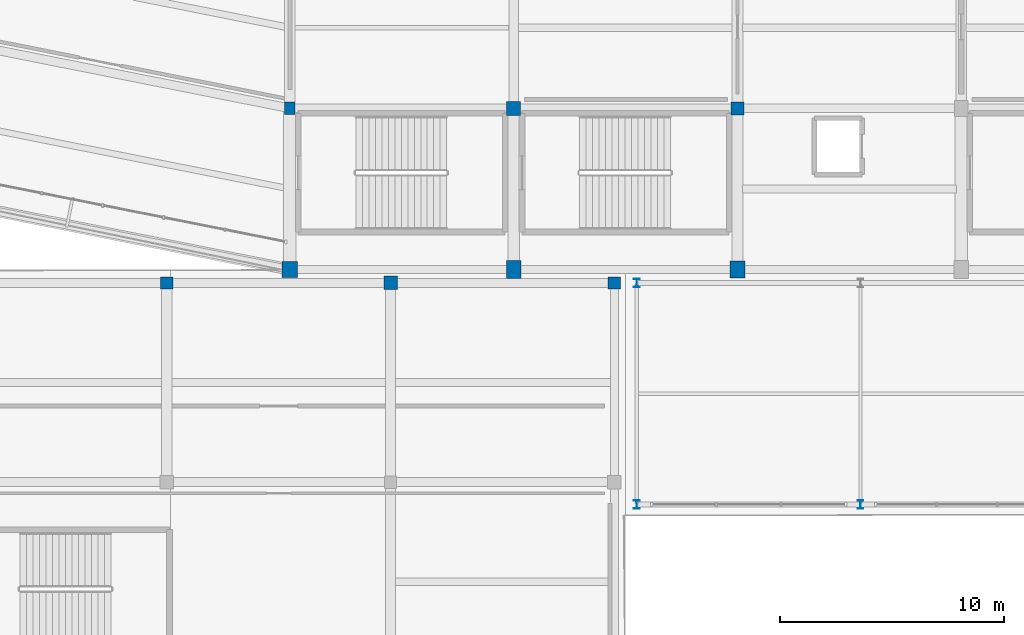
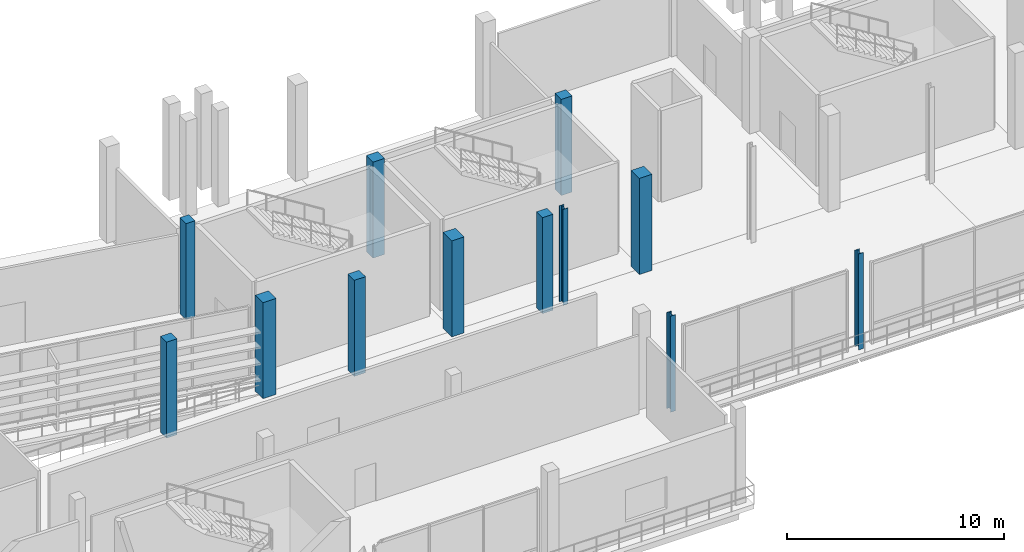
# One storey, part 2 of 111: 12 columns.
"""IFC4 building model written with IfcOpenShell, lengths in metres."""

from ifc_helpers import new_model, si_unit, direction, frame, origin, origin_2d, place, context, subcontext, project, spatial, rectangle, i_section, extrude, material, material_profile, profile_set, type_object, element, save


model = new_model("IFC4")

# Units and contexts
model_context = context("Model", 3, precision=1e-05, world=origin(), true_north=direction((0.0, 1.0)))
body_context = subcontext(model_context, "Body", "Model", "MODEL_VIEW")
ifc_project = project(units=[si_unit("LENGTHUNIT", "METRE"), si_unit("AREAUNIT", "SQUARE_METRE"), si_unit("VOLUMEUNIT", "CUBIC_METRE"), si_unit("PLANEANGLEUNIT", "RADIAN"), si_unit("MASSUNIT", "GRAM", prefix="KILO")], contexts=[model_context])

# Site, building, storey
site_placement = place(None, origin())
site = spatial("IfcSite", under=ifc_project, at=site_placement, CompositionType="ELEMENT")
building_placement = place(site_placement, origin())
building = spatial("IfcBuilding", under=site, at=building_placement, Name="Candeia Ridge Stadium", CompositionType="ELEMENT")
storey_placement = place(building_placement, frame((0.0, 0.0, 16.199951171875)))
storey = spatial("IfcBuildingStorey", under=building, at=storey_placement, Name="L03", CompositionType="ELEMENT", Elevation=16.199951171875)

# Columns
ifc_material_1 = material(Name="Steel ASTM A572 Grade 50", Category="steel")
ifc_material_profile_1 = material_profile(ifc_material_1, i_section(OverallWidth=0.257080078125, OverallDepth=0.363037109375, WebThickness=0.012939453125, FlangeThickness=0.021728515625, FilletRadius=0.014892578125, at=origin_2d()), Name="W360x122", Category="steel")
ifc_profile_set_1 = profile_set([ifc_material_profile_1], Name="Steel ASTM A572 Grade 50")
column_type_1 = type_object("IfcColumnType", Name="Gate Steel Column W360x122", PredefinedType="COLUMN", material=ifc_profile_set_1)
for number, where, z_axis, x_axis, name in (
    (1, (86.5, 8.5, 0.0), (0.0, 0.0, 1.0), (1.0, 0.0, 0.0), "Structural column SG-00-00 L03"),
    (2, (86.5, 18.39990234375, 0.0), (0.0, 0.0, 1.0), (1.0, 0.0, 0.0), "Structural column SG-00-01 L03"),
    (3, (96.5, 8.5, 0.0), (0.0, 0.0, 1.0), (1.0, 0.0, 0.0), "Structural column SG-01-00 L03"),
):
    element("IfcColumn", number, at=place(storey_placement, frame(where, z_axis=z_axis, x_axis=x_axis)), inside=storey, type_object=column_type_1, Name=name, PredefinedType="COLUMN", context=body_context, shape_type="SweptSolid", body=[
        extrude(i_section(OverallWidth=0.257080078125, OverallDepth=0.363037109375, WebThickness=0.012939453125, FlangeThickness=0.021728515625, FilletRadius=0.014892578125, at=origin_2d()), origin(), (0.0, 0.0, 1.0), 5.400146484375),
    ])
ifc_material_2 = material(Name="Concrete C40/50", Category="concrete")
ifc_material_profile_2 = material_profile(ifc_material_2, rectangle(XDim=0.47998046875, YDim=0.56005859375, at=origin_2d()), Name="RC480x560", Category="concrete")
ifc_profile_set_2 = profile_set([ifc_material_profile_2], Name="Concrete C40/50")
column_type_2 = type_object("IfcColumnType", Name="Graduated Frame Column RC480x560", PredefinedType="COLUMN", material=ifc_profile_set_2)
column_1_placement = place(storey_placement, frame((71.0, 26.199951171875, 0.0), z_axis=(0.0, 0.0, 1.0), x_axis=(1.0, 0.0, 0.0)))
element("IfcColumn", 4, at=column_1_placement, inside=storey, type_object=column_type_2, Name="Structural column BC-M2-18 L03", PredefinedType="COLUMN", context=body_context, shape_type="SweptSolid", body=[
    extrude(rectangle(XDim=0.47998046875, YDim=0.56005859375, at=origin_2d()), origin(), (0.0, 0.0, 1.0), 5.400146484375),
])
ifc_material_profile_3 = material_profile(ifc_material_2, rectangle(XDim=0.580078125, YDim=0.580078125, at=origin_2d()), Name="RC580x580", Category="concrete")
ifc_profile_set_3 = profile_set([ifc_material_profile_3], Name="Concrete C40/50")
column_type_3 = type_object("IfcColumnType", Name="Graduated Frame Column RC580x580", PredefinedType="COLUMN", material=ifc_profile_set_3)
column_2_placement = place(storey_placement, frame((91.0, 26.199951171875, 0.0), z_axis=(0.0, 0.0, 1.0), x_axis=(1.0, 0.0, 0.0)))
element("IfcColumn", 5, at=column_2_placement, inside=storey, type_object=column_type_3, Name="Structural column BC-M2-20 L03", PredefinedType="COLUMN", context=body_context, shape_type="SweptSolid", body=[
    extrude(rectangle(XDim=0.580078125, YDim=0.580078125, at=origin_2d()), origin(), (0.0, 0.0, 1.0), 5.400146484375),
])
ifc_material_profile_4 = material_profile(ifc_material_2, rectangle(XDim=0.6201171875, YDim=0.6201171875, at=origin_2d()), Name="RC620x620", Category="concrete")
ifc_profile_set_4 = profile_set([ifc_material_profile_4], Name="Concrete C40/50")
column_type_4 = type_object("IfcColumnType", Name="Graduated Frame Column RC620x620", PredefinedType="COLUMN", material=ifc_profile_set_4)
column_3_placement = place(storey_placement, frame((81.0, 26.199951171875, 0.0), z_axis=(0.0, 0.0, 1.0), x_axis=(1.0, 0.0, 0.0)))
element("IfcColumn", 6, at=column_3_placement, inside=storey, type_object=column_type_4, Name="Structural column BC-M2-19 L03", PredefinedType="COLUMN", context=body_context, shape_type="SweptSolid", body=[
    extrude(rectangle(XDim=0.6201171875, YDim=0.6201171875, at=origin_2d()), origin(), (0.0, 0.0, 1.0), 5.400146484375),
])
ifc_material_profile_5 = material_profile(ifc_material_2, rectangle(XDim=0.679931640625, YDim=0.760009765625, at=origin_2d()), Name="RC680x760", Category="concrete")
ifc_profile_set_5 = profile_set([ifc_material_profile_5], Name="Concrete C40/50")
column_type_5 = type_object("IfcColumnType", Name="Graduated Frame Column RC680x760", PredefinedType="COLUMN", material=ifc_profile_set_5)
column_4_placement = place(storey_placement, frame((91.0, 19.0, 0.0), z_axis=(0.0, 0.0, 1.0), x_axis=(1.0, 0.0, 0.0)))
element("IfcColumn", 7, at=column_4_placement, inside=storey, type_object=column_type_5, Name="Structural column BC-OU-20 L03", PredefinedType="COLUMN", context=body_context, shape_type="SweptSolid", body=[
    extrude(rectangle(XDim=0.679931640625, YDim=0.760009765625, at=origin_2d()), origin(), (0.0, 0.0, 1.0), 5.400146484375),
])
ifc_material_profile_6 = material_profile(ifc_material_2, rectangle(XDim=0.550048828125, YDim=0.550048828125, at=origin_2d()), Name="RC550x550", Category="concrete")
ifc_profile_set_6 = profile_set([ifc_material_profile_6], Name="Concrete C40/50")
column_type_6 = type_object("IfcColumnType", Name="Reinforced Concrete Column RC550x550", PredefinedType="COLUMN", material=ifc_profile_set_6)
for number, where, z_axis, x_axis, name in (
    (8, (65.5, 18.39990234375, 0.0), (0.0, 0.0, 1.0), (1.0, 0.0, 0.0), "Structural column SWW-04-02 L03"),
    (9, (85.5, 18.39990234375, 0.0), (0.0, 0.0, 1.0), (1.0, 0.0, 0.0), "Structural column SWW-06-02 L03"),
):
    element("IfcColumn", number, at=place(storey_placement, frame(where, z_axis=z_axis, x_axis=x_axis)), inside=storey, type_object=column_type_6, Name=name, PredefinedType="COLUMN", context=body_context, shape_type="SweptSolid", body=[
        extrude(rectangle(XDim=0.550048828125, YDim=0.550048828125, at=origin_2d()), origin(), (0.0, 0.0, 1.0), 5.400146484375),
    ])
ifc_material_profile_7 = material_profile(ifc_material_2, rectangle(XDim=0.64990234375, YDim=0.800048828125, at=origin_2d()), Name="RC650x800", Category="concrete")
ifc_profile_set_7 = profile_set([ifc_material_profile_7], Name="Concrete C40/50")
column_type_7 = type_object("IfcColumnType", Name="Reinforced Concrete Column RC650x800", PredefinedType="COLUMN", material=ifc_profile_set_7)
column_5_placement = place(storey_placement, frame((81.0, 19.0, 0.0), z_axis=(0.0, 0.0, 1.0), x_axis=(1.0, 0.0, 0.0)))
element("IfcColumn", 10, at=column_5_placement, inside=storey, type_object=column_type_7, Name="Structural column BC-OU-19 L03", PredefinedType="COLUMN", context=body_context, shape_type="SweptSolid", body=[
    extrude(rectangle(XDim=0.64990234375, YDim=0.800048828125, at=origin_2d()), origin(), (0.0, 0.0, 1.0), 5.400146484375),
])
ifc_material_profile_8 = material_profile(ifc_material_2, rectangle(XDim=0.60009765625, YDim=0.60009765625, at=origin_2d()), Name="RC600x600", Category="concrete")
ifc_profile_set_8 = profile_set([ifc_material_profile_8], Name="Concrete C40/50")
column_type_8 = type_object("IfcColumnType", Name="Wing Column RC600x600", PredefinedType="COLUMN", material=ifc_profile_set_8)
column_6_placement = place(storey_placement, frame((75.5, 18.39990234375, 0.0), z_axis=(0.0, 0.0, 1.0), x_axis=(1.0, 0.0, 0.0)))
element("IfcColumn", 11, at=column_6_placement, inside=storey, type_object=column_type_8, Name="Structural column SWW-05-02 L03", PredefinedType="COLUMN", context=body_context, shape_type="SweptSolid", body=[
    extrude(rectangle(XDim=0.60009765625, YDim=0.60009765625, at=origin_2d()), origin(), (0.0, 0.0, 1.0), 5.400146484375),
])
ifc_material_profile_9 = material_profile(ifc_material_2, rectangle(XDim=0.699951171875, YDim=0.699951171875, at=origin_2d()), Name="RC700x700", Category="concrete")
ifc_profile_set_9 = profile_set([ifc_material_profile_9], Name="Concrete C40/50")
column_type_9 = type_object("IfcColumnType", Name="Wing Column RC700x700", PredefinedType="COLUMN", material=ifc_profile_set_9)
column_7_placement = place(storey_placement, frame((71.0, 19.0, 0.0), z_axis=(0.0, 0.0, 1.0), x_axis=(1.0, 0.0, 0.0)))
element("IfcColumn", 12, at=column_7_placement, inside=storey, type_object=column_type_9, Name="Structural column BC-OU-18 L03", PredefinedType="COLUMN", context=body_context, shape_type="SweptSolid", body=[
    extrude(rectangle(XDim=0.699951171875, YDim=0.699951171875, at=origin_2d()), origin(), (0.0, 0.0, 1.0), 5.400146484375),
])

save(model, "model.ifc")
